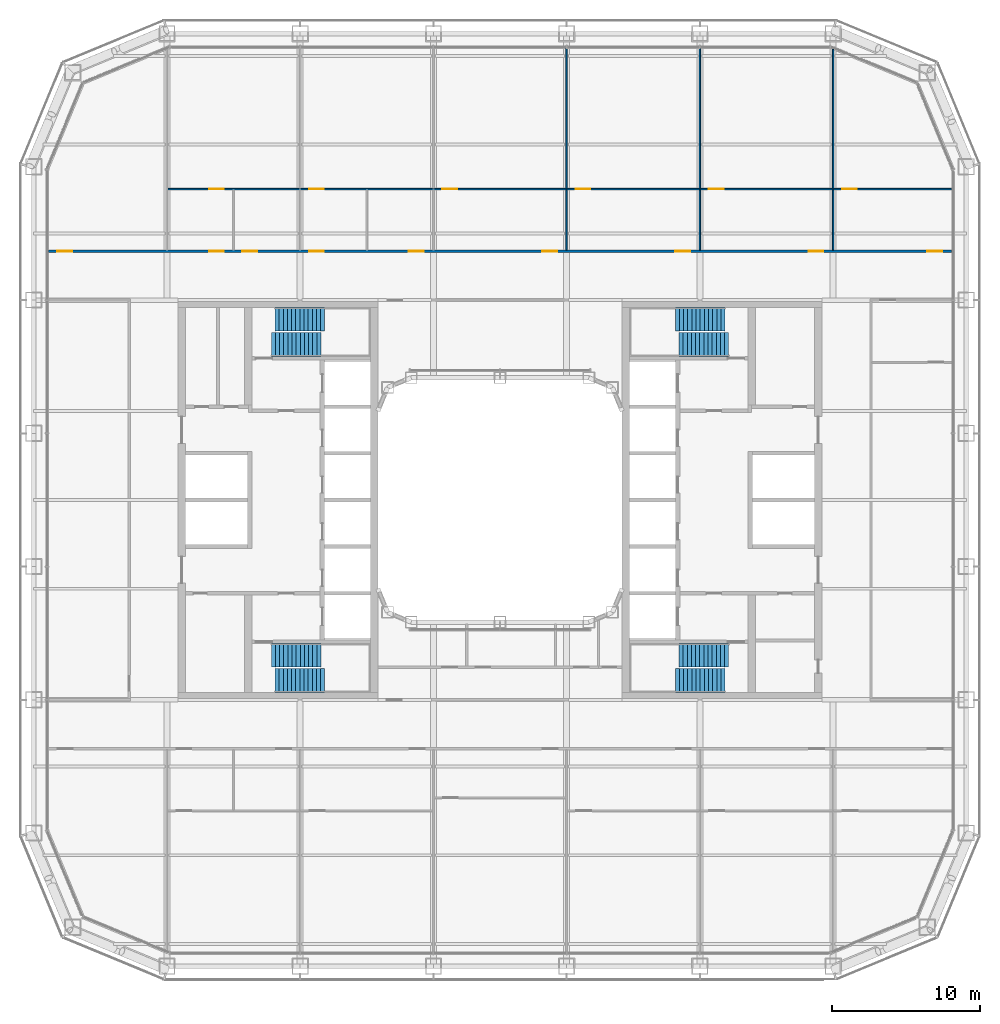
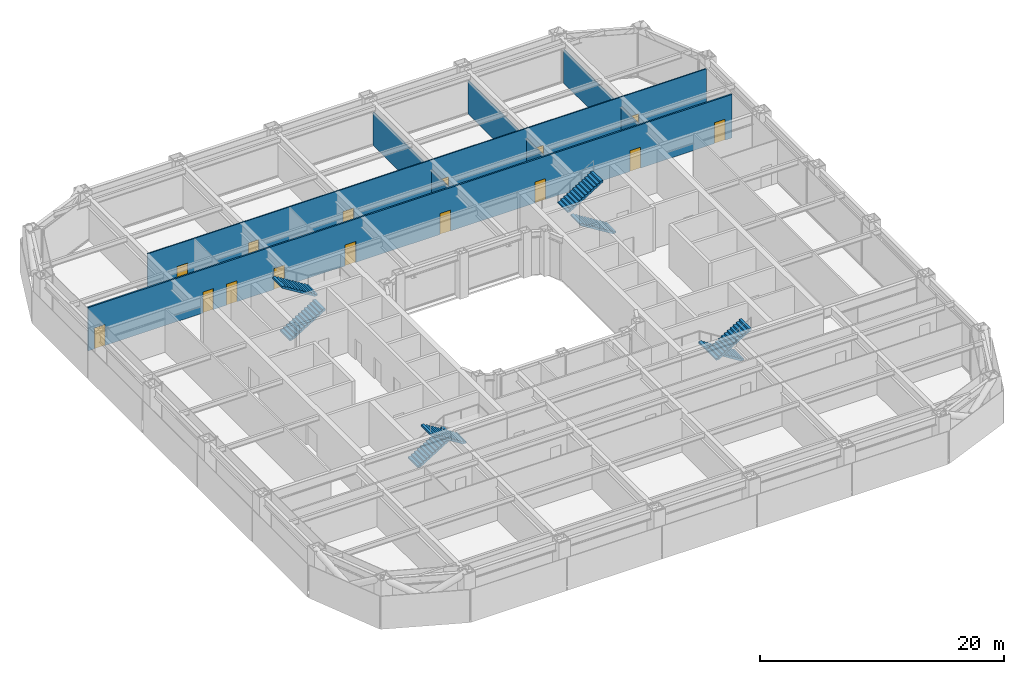
# One storey, part 15 of 24: 15 doors, 8 stair flights, 8 walls, 15 openings, 4 elements without a shape of their own.
"""IFC4 building model written with IfcOpenShell, lengths in metres."""

from ifc_helpers import new_model, si_unit, direction, frame, frame_2d, origin, place, context, subcontext, project, spatial, polyline, rectangle, outline, extrude, material, layer, layer_set, type_object, element, fill, aggregate, save


model = new_model("IFC4")

# Units and contexts
model_context = context("Model", 3, precision=1e-05, world=origin(), true_north=direction((0.0, 1.0)))
body_context = subcontext(model_context, "Body", "Model", "MODEL_VIEW")
ifc_project = project(units=[si_unit("LENGTHUNIT", "METRE"), si_unit("AREAUNIT", "SQUARE_METRE"), si_unit("VOLUMEUNIT", "CUBIC_METRE"), si_unit("PLANEANGLEUNIT", "RADIAN"), si_unit("MASSUNIT", "GRAM", prefix="KILO")], contexts=[model_context])

# Site, building, storey
site_placement = place(None, origin())
site = spatial("IfcSite", under=ifc_project, at=site_placement, CompositionType="ELEMENT")
building_placement = place(site_placement, origin())
building = spatial("IfcBuilding", under=site, at=building_placement, Name="Siwar Civic Tower", CompositionType="ELEMENT")
storey_placement = place(building_placement, frame((0.0, 0.0, 40.199951171875)))
storey = spatial("IfcBuildingStorey", under=building, at=storey_placement, Name="L08", CompositionType="ELEMENT", Elevation=40.199951171875)

# Wall, openings, doors
ifc_material_1 = material(Name="Gypsum board on steel studs", Category="steel")
ifc_layer_1 = layer(ifc_material_1, 0.14990234375)
ifc_layer_set_1 = layer_set([ifc_layer_1], Name="Gypsum board on steel studs")
wall_type_1 = type_object("IfcWallType", Name="CORRIDOR PARTITION 150 EI 30", PredefinedType="PARTITIONING", material=ifc_layer_set_1)
wall_1_placement = place(storey_placement, frame((-30.510009765625, 16.800048828125, 0.0), z_axis=(0.0, 0.0, 1.0), x_axis=(1.0, 0.0, 0.0)))
wall_1 = element("IfcWall", 1, at=wall_1_placement, inside=storey, type_object=wall_type_1, Name="L08/wall/P14", PredefinedType="PARTITIONING", context=body_context, shape_type="SweptSolid", body=[
    extrude(rectangle(XDim=61.02001953125, YDim=0.14990234375, at=frame_2d((30.510009765625, 0.0))), origin(), (0.0, 0.0, 1.0), 4.35009765625),
])
opening_1_placement = place(wall_1_placement, frame((10.860107421875, 0.0, 0.0)))
opening_1 = element("IfcOpeningElement", 2, at=opening_1_placement, cuts=wall_1, Name="Opening D1", PredefinedType="OPENING", context=body_context, shape_type="SweptSolid", body=[
    extrude(rectangle(XDim=1.0, YDim=2.10009765625, at=frame_2d((0.5, 1.050048828125))), frame((0.0, 0.0849609375, 0.0), z_axis=(0.0, -1.0, 0.0), x_axis=(1.0, 0.0, 0.0)), (0.0, 0.0, 1.0), 0.169921875),
])
opening_2_placement = place(wall_1_placement, frame((13.110107421875, 0.0, 0.0)))
opening_2 = element("IfcOpeningElement", 3, at=opening_2_placement, cuts=wall_1, Name="Opening D1", PredefinedType="OPENING", context=body_context, shape_type="SweptSolid", body=[
    extrude(rectangle(XDim=1.0, YDim=2.10009765625, at=frame_2d((0.5, 1.050048828125))), frame((0.0, 0.0849609375, 0.0), z_axis=(0.0, -1.0, 0.0), x_axis=(1.0, 0.0, 0.0)), (0.0, 0.0, 1.0), 0.169921875),
])
opening_3_placement = place(wall_1_placement, frame((17.610107421875, 0.0, 0.0)))
opening_3 = element("IfcOpeningElement", 4, at=opening_3_placement, cuts=wall_1, Name="Opening D1", PredefinedType="OPENING", context=body_context, shape_type="SweptSolid", body=[
    extrude(rectangle(XDim=1.0, YDim=2.10009765625, at=frame_2d((0.5, 1.050048828125))), frame((0.0, 0.0849609375, 0.0), z_axis=(0.0, -1.0, 0.0), x_axis=(1.0, 0.0, 0.0)), (0.0, 0.0, 1.0), 0.169921875),
])
opening_4_placement = place(wall_1_placement, frame((24.360107421875, 0.0, 0.0)))
opening_4 = element("IfcOpeningElement", 5, at=opening_4_placement, cuts=wall_1, Name="Opening D1", PredefinedType="OPENING", context=body_context, shape_type="SweptSolid", body=[
    extrude(rectangle(XDim=1.0, YDim=2.10009765625, at=frame_2d((0.5, 1.050048828125))), frame((0.0, 0.0849609375, 0.0), z_axis=(0.0, -1.0, 0.0), x_axis=(1.0, 0.0, 0.0)), (0.0, 0.0, 1.0), 0.169921875),
])
opening_5_placement = place(wall_1_placement, frame((33.360107421875, 0.0, 0.0)))
opening_5 = element("IfcOpeningElement", 6, at=opening_5_placement, cuts=wall_1, Name="Opening D1", PredefinedType="OPENING", context=body_context, shape_type="SweptSolid", body=[
    extrude(rectangle(XDim=1.0, YDim=2.10009765625, at=frame_2d((0.5, 1.050048828125))), frame((0.0, 0.0849609375, 0.0), z_axis=(0.0, -1.0, 0.0), x_axis=(1.0, 0.0, 0.0)), (0.0, 0.0, 1.0), 0.169921875),
])
opening_6_placement = place(wall_1_placement, frame((42.360107421875, 0.0, 0.0)))
opening_6 = element("IfcOpeningElement", 7, at=opening_6_placement, cuts=wall_1, Name="Opening D1", PredefinedType="OPENING", context=body_context, shape_type="SweptSolid", body=[
    extrude(rectangle(XDim=1.0, YDim=2.10009765625, at=frame_2d((0.5, 1.050048828125))), frame((0.0, 0.0849609375, 0.0), z_axis=(0.0, -1.0, 0.0), x_axis=(1.0, 0.0, 0.0)), (0.0, 0.0, 1.0), 0.169921875),
])
opening_7_placement = place(wall_1_placement, frame((51.360107421875, 0.0, 0.0)))
opening_7 = element("IfcOpeningElement", 8, at=opening_7_placement, cuts=wall_1, Name="Opening D1", PredefinedType="OPENING", context=body_context, shape_type="SweptSolid", body=[
    extrude(rectangle(XDim=1.0, YDim=2.10009765625, at=frame_2d((0.5, 1.050048828125))), frame((0.0, 0.0849609375, 0.0), z_axis=(0.0, -1.0, 0.0), x_axis=(1.0, 0.0, 0.0)), (0.0, 0.0, 1.0), 0.169921875),
])
opening_8_placement = place(wall_1_placement, frame((0.610107421875, 0.0, 0.0)))
opening_8 = element("IfcOpeningElement", 9, at=opening_8_placement, cuts=wall_1, Name="Opening D1", PredefinedType="OPENING", context=body_context, shape_type="SweptSolid", body=[
    extrude(rectangle(XDim=1.0, YDim=2.10009765625, at=frame_2d((0.5, 1.050048828125))), frame((0.0, 0.0849609375, 0.0), z_axis=(0.0, -1.0, 0.0), x_axis=(1.0, 0.0, 0.0)), (0.0, 0.0, 1.0), 0.169921875),
])
opening_9_placement = place(wall_1_placement, frame((59.3701171875, 0.0, 0.0)))
opening_9 = element("IfcOpeningElement", 10, at=opening_9_placement, cuts=wall_1, Name="Opening D1", PredefinedType="OPENING", context=body_context, shape_type="SweptSolid", body=[
    extrude(rectangle(XDim=1.0, YDim=2.10009765625, at=frame_2d((0.5, 1.050048828125))), frame((0.0, 0.0849609375, 0.0), z_axis=(0.0, -1.0, 0.0), x_axis=(1.0, 0.0, 0.0)), (0.0, 0.0, 1.0), 0.169921875),
])
ifc_material_2 = material(Name="Timber, painted", Category="wood")
door_type_1 = type_object("IfcDoorType", Name="DOOR 1000 X 2100 FD30", OperationType="SINGLE_SWING_LEFT", PredefinedType="DOOR", material=ifc_material_2)
door_1_placement = place(opening_1_placement, origin())
door_1 = element("IfcDoor", 11, at=door_1_placement, inside=storey, type_object=door_type_1, Name="L08-D01", OperationType="SINGLE_SWING_LEFT", OverallHeight=2.10009765625, OverallWidth=1.0, PredefinedType="DOOR", context=body_context, shape_type="SweptSolid", body=[
    extrude(rectangle(XDim=1.0, YDim=2.10009765625, at=frame_2d((0.5, 1.050048828125))), frame((0.0, 0.02490234375, 0.0), z_axis=(0.0, -1.0, 0.0), x_axis=(1.0, 0.0, 0.0)), (0.0, 0.0, 1.0), 0.050048828125),
])
fill(opening_1, door_1)
door_2_placement = place(opening_2_placement, origin())
door_2 = element("IfcDoor", 12, at=door_2_placement, inside=storey, type_object=door_type_1, Name="L08-D02", OperationType="SINGLE_SWING_RIGHT", OverallHeight=2.10009765625, OverallWidth=1.0, PredefinedType="DOOR", context=body_context, shape_type="SweptSolid", body=[
    extrude(rectangle(XDim=1.0, YDim=2.10009765625, at=frame_2d((0.5, 1.050048828125))), frame((0.0, 0.02490234375, 0.0), z_axis=(0.0, -1.0, 0.0), x_axis=(1.0, 0.0, 0.0)), (0.0, 0.0, 1.0), 0.050048828125),
])
fill(opening_2, door_2)
door_3_placement = place(opening_3_placement, origin())
door_3 = element("IfcDoor", 13, at=door_3_placement, inside=storey, type_object=door_type_1, Name="L08-D04", OperationType="SINGLE_SWING_RIGHT", OverallHeight=2.10009765625, OverallWidth=1.0, PredefinedType="DOOR", context=body_context, shape_type="SweptSolid", body=[
    extrude(rectangle(XDim=1.0, YDim=2.10009765625, at=frame_2d((0.5, 1.050048828125))), frame((0.0, 0.02490234375, 0.0), z_axis=(0.0, -1.0, 0.0), x_axis=(1.0, 0.0, 0.0)), (0.0, 0.0, 1.0), 0.050048828125),
])
fill(opening_3, door_3)
door_4_placement = place(opening_4_placement, origin())
door_4 = element("IfcDoor", 14, at=door_4_placement, inside=storey, type_object=door_type_1, Name="L08-D05", OperationType="SINGLE_SWING_LEFT", OverallHeight=2.10009765625, OverallWidth=1.0, PredefinedType="DOOR", context=body_context, shape_type="SweptSolid", body=[
    extrude(rectangle(XDim=1.0, YDim=2.10009765625, at=frame_2d((0.5, 1.050048828125))), frame((0.0, 0.02490234375, 0.0), z_axis=(0.0, -1.0, 0.0), x_axis=(1.0, 0.0, 0.0)), (0.0, 0.0, 1.0), 0.050048828125),
])
fill(opening_4, door_4)
door_5_placement = place(opening_5_placement, origin())
door_5 = element("IfcDoor", 15, at=door_5_placement, inside=storey, type_object=door_type_1, Name="L08-D07", OperationType="SINGLE_SWING_LEFT", OverallHeight=2.10009765625, OverallWidth=1.0, PredefinedType="DOOR", context=body_context, shape_type="SweptSolid", body=[
    extrude(rectangle(XDim=1.0, YDim=2.10009765625, at=frame_2d((0.5, 1.050048828125))), frame((0.0, 0.02490234375, 0.0), z_axis=(0.0, -1.0, 0.0), x_axis=(1.0, 0.0, 0.0)), (0.0, 0.0, 1.0), 0.050048828125),
])
fill(opening_5, door_5)
door_6_placement = place(opening_6_placement, origin())
door_6 = element("IfcDoor", 16, at=door_6_placement, inside=storey, type_object=door_type_1, Name="L08-D09", OperationType="SINGLE_SWING_LEFT", OverallHeight=2.10009765625, OverallWidth=1.0, PredefinedType="DOOR", context=body_context, shape_type="SweptSolid", body=[
    extrude(rectangle(XDim=1.0, YDim=2.10009765625, at=frame_2d((0.5, 1.050048828125))), frame((0.0, 0.02490234375, 0.0), z_axis=(0.0, -1.0, 0.0), x_axis=(1.0, 0.0, 0.0)), (0.0, 0.0, 1.0), 0.050048828125),
])
fill(opening_6, door_6)
door_7_placement = place(opening_7_placement, origin())
door_7 = element("IfcDoor", 17, at=door_7_placement, inside=storey, type_object=door_type_1, Name="L08-D11", OperationType="SINGLE_SWING_LEFT", OverallHeight=2.10009765625, OverallWidth=1.0, PredefinedType="DOOR", context=body_context, shape_type="SweptSolid", body=[
    extrude(rectangle(XDim=1.0, YDim=2.10009765625, at=frame_2d((0.5, 1.050048828125))), frame((0.0, 0.02490234375, 0.0), z_axis=(0.0, -1.0, 0.0), x_axis=(1.0, 0.0, 0.0)), (0.0, 0.0, 1.0), 0.050048828125),
])
fill(opening_7, door_7)
door_8_placement = place(opening_8_placement, origin())
door_8 = element("IfcDoor", 18, at=door_8_placement, inside=storey, type_object=door_type_1, Name="L08-D24", OperationType="SINGLE_SWING_RIGHT", OverallHeight=2.10009765625, OverallWidth=1.0, PredefinedType="DOOR", context=body_context, shape_type="SweptSolid", body=[
    extrude(rectangle(XDim=1.0, YDim=2.10009765625, at=frame_2d((0.5, 1.050048828125))), frame((0.0, 0.02490234375, 0.0), z_axis=(0.0, -1.0, 0.0), x_axis=(1.0, 0.0, 0.0)), (0.0, 0.0, 1.0), 0.050048828125),
])
fill(opening_8, door_8)
door_9_placement = place(opening_9_placement, origin())
door_9 = element("IfcDoor", 19, at=door_9_placement, inside=storey, type_object=door_type_1, Name="L08-D25", OperationType="SINGLE_SWING_LEFT", OverallHeight=2.10009765625, OverallWidth=1.0, PredefinedType="DOOR", context=body_context, shape_type="SweptSolid", body=[
    extrude(rectangle(XDim=1.0, YDim=2.10009765625, at=frame_2d((0.5, 1.050048828125))), frame((0.0, 0.02490234375, 0.0), z_axis=(0.0, -1.0, 0.0), x_axis=(1.0, 0.0, 0.0)), (0.0, 0.0, 1.0), 0.050048828125),
])
fill(opening_9, door_9)

ifc_material_3 = material(Name="Gypsum board on steel studs", Category="steel")
ifc_layer_2 = layer(ifc_material_3, 0.10009765625)
ifc_layer_set_2 = layer_set([ifc_layer_2], Name="Gypsum board on steel studs")
wall_type_2 = type_object("IfcWallType", Name="PARTITION 100 GYPSUM", PredefinedType="PARTITIONING", material=ifc_layer_set_2)
wall_2_placement = place(storey_placement, frame((-22.449951171875, 21.0, 0.0), z_axis=(0.0, 0.0, 1.0), x_axis=(1.0, 0.0, 0.0)))
wall_2 = element("IfcWall", 20, at=wall_2_placement, inside=storey, type_object=wall_type_2, Name="L08/wall/P15", PredefinedType="PARTITIONING", context=body_context, shape_type="SweptSolid", body=[
    extrude(rectangle(XDim=52.9599609375, YDim=0.10009765625, at=frame_2d((26.47998046875, 0.0))), origin(), (0.0, 0.0, 1.0), 4.35009765625),
])
opening_10_placement = place(wall_2_placement, frame((2.800048828125, 0.0, 0.0)))
opening_10 = element("IfcOpeningElement", 21, at=opening_10_placement, cuts=wall_2, Name="Opening D2", PredefinedType="OPENING", context=body_context, shape_type="SweptSolid", body=[
    extrude(rectangle(XDim=1.0, YDim=2.10009765625, at=frame_2d((0.5, 1.050048828125))), frame((0.0, 0.06005859375, 0.0), z_axis=(0.0, -1.0, 0.0), x_axis=(1.0, 0.0, 0.0)), (0.0, 0.0, 1.0), 0.1201171875),
])
opening_11_placement = place(wall_2_placement, frame((9.550048828125, 0.0, 0.0)))
opening_11 = element("IfcOpeningElement", 22, at=opening_11_placement, cuts=wall_2, Name="Opening D2", PredefinedType="OPENING", context=body_context, shape_type="SweptSolid", body=[
    extrude(rectangle(XDim=1.0, YDim=2.10009765625, at=frame_2d((0.5, 1.050048828125))), frame((0.0, 0.06005859375, 0.0), z_axis=(0.0, -1.0, 0.0), x_axis=(1.0, 0.0, 0.0)), (0.0, 0.0, 1.0), 0.1201171875),
])
opening_12_placement = place(wall_2_placement, frame((18.550048828125, 0.0, 0.0)))
opening_12 = element("IfcOpeningElement", 23, at=opening_12_placement, cuts=wall_2, Name="Opening D2", PredefinedType="OPENING", context=body_context, shape_type="SweptSolid", body=[
    extrude(rectangle(XDim=1.0, YDim=2.10009765625, at=frame_2d((0.5, 1.050048828125))), frame((0.0, 0.06005859375, 0.0), z_axis=(0.0, -1.0, 0.0), x_axis=(1.0, 0.0, 0.0)), (0.0, 0.0, 1.0), 0.1201171875),
])
opening_13_placement = place(wall_2_placement, frame((27.550048828125, 0.0, 0.0)))
opening_13 = element("IfcOpeningElement", 24, at=opening_13_placement, cuts=wall_2, Name="Opening D2", PredefinedType="OPENING", context=body_context, shape_type="SweptSolid", body=[
    extrude(rectangle(XDim=1.0, YDim=2.10009765625, at=frame_2d((0.5, 1.050048828125))), frame((0.0, 0.06005859375, 0.0), z_axis=(0.0, -1.0, 0.0), x_axis=(1.0, 0.0, 0.0)), (0.0, 0.0, 1.0), 0.1201171875),
])
opening_14_placement = place(wall_2_placement, frame((36.550048828125, 0.0, 0.0)))
opening_14 = element("IfcOpeningElement", 25, at=opening_14_placement, cuts=wall_2, Name="Opening D2", PredefinedType="OPENING", context=body_context, shape_type="SweptSolid", body=[
    extrude(rectangle(XDim=1.0, YDim=2.10009765625, at=frame_2d((0.5, 1.050048828125))), frame((0.0, 0.06005859375, 0.0), z_axis=(0.0, -1.0, 0.0), x_axis=(1.0, 0.0, 0.0)), (0.0, 0.0, 1.0), 0.1201171875),
])
opening_15_placement = place(wall_2_placement, frame((45.56005859375, 0.0, 0.0)))
opening_15 = element("IfcOpeningElement", 26, at=opening_15_placement, cuts=wall_2, Name="Opening D2", PredefinedType="OPENING", context=body_context, shape_type="SweptSolid", body=[
    extrude(rectangle(XDim=1.0, YDim=2.10009765625, at=frame_2d((0.5, 1.050048828125))), frame((0.0, 0.06005859375, 0.0), z_axis=(0.0, -1.0, 0.0), x_axis=(1.0, 0.0, 0.0)), (0.0, 0.0, 1.0), 0.1201171875),
])
ifc_material_4 = material(Name="Timber, painted", Category="wood")
door_type_2 = type_object("IfcDoorType", Name="DOOR 1000 X 2100", OperationType="SINGLE_SWING_LEFT", PredefinedType="DOOR", material=ifc_material_4)
door_10_placement = place(opening_10_placement, origin())
door_10 = element("IfcDoor", 27, at=door_10_placement, inside=storey, type_object=door_type_2, Name="L08-D03", OperationType="SINGLE_SWING_LEFT", OverallHeight=2.10009765625, OverallWidth=1.0, PredefinedType="DOOR", context=body_context, shape_type="SweptSolid", body=[
    extrude(rectangle(XDim=1.0, YDim=2.10009765625, at=frame_2d((0.5, 1.050048828125))), frame((0.0, 0.02490234375, 0.0), z_axis=(0.0, -1.0, 0.0), x_axis=(1.0, 0.0, 0.0)), (0.0, 0.0, 1.0), 0.050048828125),
])
fill(opening_10, door_10)
door_11_placement = place(opening_11_placement, origin())
door_11 = element("IfcDoor", 28, at=door_11_placement, inside=storey, type_object=door_type_2, Name="L08-D06", OperationType="SINGLE_SWING_RIGHT", OverallHeight=2.10009765625, OverallWidth=1.0, PredefinedType="DOOR", context=body_context, shape_type="SweptSolid", body=[
    extrude(rectangle(XDim=1.0, YDim=2.10009765625, at=frame_2d((0.5, 1.050048828125))), frame((0.0, 0.02490234375, 0.0), z_axis=(0.0, -1.0, 0.0), x_axis=(1.0, 0.0, 0.0)), (0.0, 0.0, 1.0), 0.050048828125),
])
fill(opening_11, door_11)
door_12_placement = place(opening_12_placement, origin())
door_12 = element("IfcDoor", 29, at=door_12_placement, inside=storey, type_object=door_type_2, Name="L08-D08", OperationType="SINGLE_SWING_RIGHT", OverallHeight=2.10009765625, OverallWidth=1.0, PredefinedType="DOOR", context=body_context, shape_type="SweptSolid", body=[
    extrude(rectangle(XDim=1.0, YDim=2.10009765625, at=frame_2d((0.5, 1.050048828125))), frame((0.0, 0.02490234375, 0.0), z_axis=(0.0, -1.0, 0.0), x_axis=(1.0, 0.0, 0.0)), (0.0, 0.0, 1.0), 0.050048828125),
])
fill(opening_12, door_12)
door_13_placement = place(opening_13_placement, origin())
door_13 = element("IfcDoor", 30, at=door_13_placement, inside=storey, type_object=door_type_2, Name="L08-D10", OperationType="SINGLE_SWING_RIGHT", OverallHeight=2.10009765625, OverallWidth=1.0, PredefinedType="DOOR", context=body_context, shape_type="SweptSolid", body=[
    extrude(rectangle(XDim=1.0, YDim=2.10009765625, at=frame_2d((0.5, 1.050048828125))), frame((0.0, 0.02490234375, 0.0), z_axis=(0.0, -1.0, 0.0), x_axis=(1.0, 0.0, 0.0)), (0.0, 0.0, 1.0), 0.050048828125),
])
fill(opening_13, door_13)
door_14_placement = place(opening_14_placement, origin())
door_14 = element("IfcDoor", 31, at=door_14_placement, inside=storey, type_object=door_type_2, Name="L08-D12", OperationType="SINGLE_SWING_RIGHT", OverallHeight=2.10009765625, OverallWidth=1.0, PredefinedType="DOOR", context=body_context, shape_type="SweptSolid", body=[
    extrude(rectangle(XDim=1.0, YDim=2.10009765625, at=frame_2d((0.5, 1.050048828125))), frame((0.0, 0.02490234375, 0.0), z_axis=(0.0, -1.0, 0.0), x_axis=(1.0, 0.0, 0.0)), (0.0, 0.0, 1.0), 0.050048828125),
])
fill(opening_14, door_14)
door_15_placement = place(opening_15_placement, origin())
door_15 = element("IfcDoor", 32, at=door_15_placement, inside=storey, type_object=door_type_2, Name="L08-D26", OperationType="SINGLE_SWING_RIGHT", OverallHeight=2.10009765625, OverallWidth=1.0, PredefinedType="DOOR", context=body_context, shape_type="SweptSolid", body=[
    extrude(rectangle(XDim=1.0, YDim=2.10009765625, at=frame_2d((0.5, 1.050048828125))), frame((0.0, 0.02490234375, 0.0), z_axis=(0.0, -1.0, 0.0), x_axis=(1.0, 0.0, 0.0)), (0.0, 0.0, 1.0), 0.050048828125),
])
fill(opening_15, door_15)

# Walls
wall_3_placement = place(storey_placement, frame((4.5, 16.875, 0.0), z_axis=(0.0, 0.0, 1.0), x_axis=(0.0, 1.0, 0.0)))
element("IfcWall", 33, at=wall_3_placement, inside=storey, type_object=wall_type_2, Name="L08/wall/P32", PredefinedType="PARTITIONING", context=body_context, shape_type="SweptSolid", body=[
    extrude(rectangle(XDim=4.074951171875, YDim=0.10009765625, at=frame_2d((2.03759765625, 0.0))), origin(), (0.0, 0.0, 1.0), 3.35009765625),
])
wall_4_placement = place(storey_placement, frame((4.5, 21.050048828125, 0.0), z_axis=(0.0, 0.0, 1.0), x_axis=(0.0, 1.0, 0.0)))
element("IfcWall", 34, at=wall_4_placement, inside=storey, type_object=wall_type_2, Name="L08/wall/P33", PredefinedType="PARTITIONING", context=body_context, shape_type="SweptSolid", body=[
    extrude(rectangle(XDim=9.4599609375, YDim=0.10009765625, at=frame_2d((4.72998046875, 0.0))), origin(), (0.0, 0.0, 1.0), 3.35009765625),
])
wall_5_placement = place(storey_placement, frame((13.5, 16.875, 0.0), z_axis=(0.0, 0.0, 1.0), x_axis=(0.0, 1.0, 0.0)))
element("IfcWall", 35, at=wall_5_placement, inside=storey, type_object=wall_type_2, Name="L08/wall/P37", PredefinedType="PARTITIONING", context=body_context, shape_type="SweptSolid", body=[
    extrude(rectangle(XDim=4.074951171875, YDim=0.10009765625, at=frame_2d((2.03759765625, 0.0))), origin(), (0.0, 0.0, 1.0), 3.35009765625),
])
wall_6_placement = place(storey_placement, frame((13.5, 21.050048828125, 0.0), z_axis=(0.0, 0.0, 1.0), x_axis=(0.0, 1.0, 0.0)))
element("IfcWall", 36, at=wall_6_placement, inside=storey, type_object=wall_type_2, Name="L08/wall/P38", PredefinedType="PARTITIONING", context=body_context, shape_type="SweptSolid", body=[
    extrude(rectangle(XDim=9.4599609375, YDim=0.10009765625, at=frame_2d((4.72998046875, 0.0))), origin(), (0.0, 0.0, 1.0), 3.35009765625),
])
wall_7_placement = place(storey_placement, frame((22.5, 16.875, 0.0), z_axis=(0.0, 0.0, 1.0), x_axis=(0.0, 1.0, 0.0)))
element("IfcWall", 37, at=wall_7_placement, inside=storey, type_object=wall_type_2, Name="L08/wall/P41", PredefinedType="PARTITIONING", context=body_context, shape_type="SweptSolid", body=[
    extrude(rectangle(XDim=4.074951171875, YDim=0.10009765625, at=frame_2d((2.03759765625, 0.0))), origin(), (0.0, 0.0, 1.0), 3.35009765625),
])
wall_8_placement = place(storey_placement, frame((22.5, 21.050048828125, 0.0), z_axis=(0.0, 0.0, 1.0), x_axis=(0.0, 1.0, 0.0)))
element("IfcWall", 38, at=wall_8_placement, inside=storey, type_object=wall_type_2, Name="L08/wall/P42", PredefinedType="PARTITIONING", context=body_context, shape_type="SweptSolid", body=[
    extrude(rectangle(XDim=9.3779296875, YDim=0.10009765625, at=frame_2d((4.68896484375, 0.0))), origin(), (0.0, 0.0, 1.0), 3.35009765625),
])

# Stair, stair flights
ifc_material_5 = material(Name="Concrete C40/50", Category="concrete")
stair_type = type_object("IfcStairType", Name="CORE-STAIR", PredefinedType="TWO_STRAIGHT_RUN_STAIR", material=ifc_material_5)
stair_1_placement = place(storey_placement, origin())
stair_1 = element("IfcStair", 39, at=stair_1_placement, inside=storey, type_object=stair_type, Name="Exit stair ST1", PredefinedType="TWO_STRAIGHT_RUN_STAIR")
ifc_material_6 = material(Name="Concrete C40/50", Category="concrete")
stair_flight_type = type_object("IfcStairFlightType", Name="CORE-STAIR-FLIGHT", PredefinedType="STRAIGHT", material=ifc_material_6)
stair_flight_1_placement = place(storey_placement, frame((-15.449951171875, 10.5, 0.0), z_axis=(0.0, 0.0, 1.0), x_axis=(1.0, 0.0, 0.0)))
stair_flight_1 = element("IfcStairFlight", 40, at=stair_flight_1_placement, type_object=stair_flight_type, Name="ST1 flight 1", NumberOfRisers=13, NumberOfTreads=12, PredefinedType="STRAIGHT", RiserHeight=0.173076923, TreadLength=0.28, context=body_context, shape_type="SweptSolid", body=[
    extrude(outline(polyline([(0.0, 0.0), (0.0, 0.173095703125), (0.280029296875, 0.173095703125), (0.280029296875, 0.34619140625), (0.56005859375, 0.34619140625), (0.56005859375, 0.519287109375), (0.840087890625, 0.519287109375), (0.840087890625, 0.6923828125), (1.1201171875, 0.6923828125), (1.1201171875, 0.865478515625), (1.39990234375, 0.865478515625), (1.39990234375, 1.03857421875), (1.679931640625, 1.03857421875), (1.679931640625, 1.21142578125), (1.9599609375, 1.21142578125), (1.9599609375, 1.384521484375), (2.239990234375, 1.384521484375), (2.239990234375, 1.5576171875), (2.52001953125, 1.5576171875), (2.52001953125, 1.730712890625), (2.800048828125, 1.730712890625), (2.800048828125, 1.90380859375), (3.080078125, 1.90380859375), (3.080078125, 2.076904296875), (3.360107421875, 2.076904296875), (3.360107421875, 2.25), (3.360107421875, 1.900634765625), (0.28515625, 0.0), (0.0, 0.0)])), frame((0.0, 0.800048828125, 0.0), z_axis=(0.0, -1.0, 0.0), x_axis=(1.0, 0.0, 0.0)), (0.0, 0.0, 1.0), 1.60009765625),
])
stair_flight_2_placement = place(storey_placement, frame((-11.840087890625, 12.199951171875, 2.25), z_axis=(0.0, 0.0, 1.0), x_axis=(-1.0, 0.0, 0.0)))
stair_flight_2 = element("IfcStairFlight", 41, at=stair_flight_2_placement, type_object=stair_flight_type, Name="ST1 flight 2", NumberOfRisers=13, NumberOfTreads=12, PredefinedType="STRAIGHT", RiserHeight=0.173076923, TreadLength=0.28, context=body_context, shape_type="SweptSolid", body=[
    extrude(outline(polyline([(0.0, 0.0), (0.0, 0.173095703125), (0.280029296875, 0.173095703125), (0.280029296875, 0.34619140625), (0.56005859375, 0.34619140625), (0.56005859375, 0.519287109375), (0.840087890625, 0.519287109375), (0.840087890625, 0.6923828125), (1.1201171875, 0.6923828125), (1.1201171875, 0.865478515625), (1.39990234375, 0.865478515625), (1.39990234375, 1.03857421875), (1.679931640625, 1.03857421875), (1.679931640625, 1.21142578125), (1.9599609375, 1.21142578125), (1.9599609375, 1.384521484375), (2.239990234375, 1.384521484375), (2.239990234375, 1.5576171875), (2.52001953125, 1.5576171875), (2.52001953125, 1.730712890625), (2.800048828125, 1.730712890625), (2.800048828125, 1.90380859375), (3.080078125, 1.90380859375), (3.080078125, 2.076904296875), (3.360107421875, 2.076904296875), (3.360107421875, 2.25), (3.360107421875, 1.900634765625), (0.28515625, 0.0), (0.0, 0.0)])), frame((0.0, 0.800048828125, 0.0), z_axis=(0.0, -1.0, 0.0), x_axis=(1.0, 0.0, 0.0)), (0.0, 0.0, 1.0), 1.60009765625),
])
aggregate(stair_1, [stair_flight_1, stair_flight_2])

stair_2_placement = place(storey_placement, origin())
stair_2 = element("IfcStair", 42, at=stair_2_placement, inside=storey, type_object=stair_type, Name="Exit stair ST2", PredefinedType="TWO_STRAIGHT_RUN_STAIR")
stair_flight_3_placement = place(storey_placement, frame((-15.449951171875, -10.5, 0.0), z_axis=(0.0, 0.0, 1.0), x_axis=(1.0, 0.0, 0.0)))
stair_flight_3 = element("IfcStairFlight", 43, at=stair_flight_3_placement, type_object=stair_flight_type, Name="ST2 flight 1", NumberOfRisers=13, NumberOfTreads=12, PredefinedType="STRAIGHT", RiserHeight=0.173076923, TreadLength=0.28, context=body_context, shape_type="SweptSolid", body=[
    extrude(outline(polyline([(0.0, 0.0), (0.0, 0.173095703125), (0.280029296875, 0.173095703125), (0.280029296875, 0.34619140625), (0.56005859375, 0.34619140625), (0.56005859375, 0.519287109375), (0.840087890625, 0.519287109375), (0.840087890625, 0.6923828125), (1.1201171875, 0.6923828125), (1.1201171875, 0.865478515625), (1.39990234375, 0.865478515625), (1.39990234375, 1.03857421875), (1.679931640625, 1.03857421875), (1.679931640625, 1.21142578125), (1.9599609375, 1.21142578125), (1.9599609375, 1.384521484375), (2.239990234375, 1.384521484375), (2.239990234375, 1.5576171875), (2.52001953125, 1.5576171875), (2.52001953125, 1.730712890625), (2.800048828125, 1.730712890625), (2.800048828125, 1.90380859375), (3.080078125, 1.90380859375), (3.080078125, 2.076904296875), (3.360107421875, 2.076904296875), (3.360107421875, 2.25), (3.360107421875, 1.900634765625), (0.28515625, 0.0), (0.0, 0.0)])), frame((0.0, 0.800048828125, 0.0), z_axis=(0.0, -1.0, 0.0), x_axis=(1.0, 0.0, 0.0)), (0.0, 0.0, 1.0), 1.60009765625),
])
stair_flight_4_placement = place(storey_placement, frame((-11.840087890625, -12.199951171875, 2.25), z_axis=(0.0, 0.0, 1.0), x_axis=(-1.0, 0.0, 0.0)))
stair_flight_4 = element("IfcStairFlight", 44, at=stair_flight_4_placement, type_object=stair_flight_type, Name="ST2 flight 2", NumberOfRisers=13, NumberOfTreads=12, PredefinedType="STRAIGHT", RiserHeight=0.173076923, TreadLength=0.28, context=body_context, shape_type="SweptSolid", body=[
    extrude(outline(polyline([(0.0, 0.0), (0.0, 0.173095703125), (0.280029296875, 0.173095703125), (0.280029296875, 0.34619140625), (0.56005859375, 0.34619140625), (0.56005859375, 0.519287109375), (0.840087890625, 0.519287109375), (0.840087890625, 0.6923828125), (1.1201171875, 0.6923828125), (1.1201171875, 0.865478515625), (1.39990234375, 0.865478515625), (1.39990234375, 1.03857421875), (1.679931640625, 1.03857421875), (1.679931640625, 1.21142578125), (1.9599609375, 1.21142578125), (1.9599609375, 1.384521484375), (2.239990234375, 1.384521484375), (2.239990234375, 1.5576171875), (2.52001953125, 1.5576171875), (2.52001953125, 1.730712890625), (2.800048828125, 1.730712890625), (2.800048828125, 1.90380859375), (3.080078125, 1.90380859375), (3.080078125, 2.076904296875), (3.360107421875, 2.076904296875), (3.360107421875, 2.25), (3.360107421875, 1.900634765625), (0.28515625, 0.0), (0.0, 0.0)])), frame((0.0, 0.800048828125, 0.0), z_axis=(0.0, -1.0, 0.0), x_axis=(1.0, 0.0, 0.0)), (0.0, 0.0, 1.0), 1.60009765625),
])
aggregate(stair_2, [stair_flight_3, stair_flight_4])

stair_3_placement = place(storey_placement, origin())
stair_3 = element("IfcStair", 45, at=stair_3_placement, inside=storey, type_object=stair_type, Name="Exit stair ST3", PredefinedType="TWO_STRAIGHT_RUN_STAIR")
stair_flight_5_placement = place(storey_placement, frame((15.449951171875, 10.5, 0.0), z_axis=(0.0, 0.0, 1.0), x_axis=(-1.0, 0.0, 0.0)))
stair_flight_5 = element("IfcStairFlight", 46, at=stair_flight_5_placement, type_object=stair_flight_type, Name="ST3 flight 1", NumberOfRisers=13, NumberOfTreads=12, PredefinedType="STRAIGHT", RiserHeight=0.173076923, TreadLength=0.28, context=body_context, shape_type="SweptSolid", body=[
    extrude(outline(polyline([(0.0, 0.0), (0.0, 0.173095703125), (0.280029296875, 0.173095703125), (0.280029296875, 0.34619140625), (0.56005859375, 0.34619140625), (0.56005859375, 0.519287109375), (0.840087890625, 0.519287109375), (0.840087890625, 0.6923828125), (1.1201171875, 0.6923828125), (1.1201171875, 0.865478515625), (1.39990234375, 0.865478515625), (1.39990234375, 1.03857421875), (1.679931640625, 1.03857421875), (1.679931640625, 1.21142578125), (1.9599609375, 1.21142578125), (1.9599609375, 1.384521484375), (2.239990234375, 1.384521484375), (2.239990234375, 1.5576171875), (2.52001953125, 1.5576171875), (2.52001953125, 1.730712890625), (2.800048828125, 1.730712890625), (2.800048828125, 1.90380859375), (3.080078125, 1.90380859375), (3.080078125, 2.076904296875), (3.360107421875, 2.076904296875), (3.360107421875, 2.25), (3.360107421875, 1.900634765625), (0.28515625, 0.0), (0.0, 0.0)])), frame((0.0, 0.800048828125, 0.0), z_axis=(0.0, -1.0, 0.0), x_axis=(1.0, 0.0, 0.0)), (0.0, 0.0, 1.0), 1.60009765625),
])
stair_flight_6_placement = place(storey_placement, frame((11.840087890625, 12.199951171875, 2.25), z_axis=(0.0, 0.0, 1.0), x_axis=(1.0, 0.0, 0.0)))
stair_flight_6 = element("IfcStairFlight", 47, at=stair_flight_6_placement, type_object=stair_flight_type, Name="ST3 flight 2", NumberOfRisers=13, NumberOfTreads=12, PredefinedType="STRAIGHT", RiserHeight=0.173076923, TreadLength=0.28, context=body_context, shape_type="SweptSolid", body=[
    extrude(outline(polyline([(0.0, 0.0), (0.0, 0.173095703125), (0.280029296875, 0.173095703125), (0.280029296875, 0.34619140625), (0.56005859375, 0.34619140625), (0.56005859375, 0.519287109375), (0.840087890625, 0.519287109375), (0.840087890625, 0.6923828125), (1.1201171875, 0.6923828125), (1.1201171875, 0.865478515625), (1.39990234375, 0.865478515625), (1.39990234375, 1.03857421875), (1.679931640625, 1.03857421875), (1.679931640625, 1.21142578125), (1.9599609375, 1.21142578125), (1.9599609375, 1.384521484375), (2.239990234375, 1.384521484375), (2.239990234375, 1.5576171875), (2.52001953125, 1.5576171875), (2.52001953125, 1.730712890625), (2.800048828125, 1.730712890625), (2.800048828125, 1.90380859375), (3.080078125, 1.90380859375), (3.080078125, 2.076904296875), (3.360107421875, 2.076904296875), (3.360107421875, 2.25), (3.360107421875, 1.900634765625), (0.28515625, 0.0), (0.0, 0.0)])), frame((0.0, 0.800048828125, 0.0), z_axis=(0.0, -1.0, 0.0), x_axis=(1.0, 0.0, 0.0)), (0.0, 0.0, 1.0), 1.60009765625),
])
aggregate(stair_3, [stair_flight_5, stair_flight_6])

stair_4_placement = place(storey_placement, origin())
stair_4 = element("IfcStair", 48, at=stair_4_placement, inside=storey, type_object=stair_type, Name="Exit stair ST4", PredefinedType="TWO_STRAIGHT_RUN_STAIR")
stair_flight_7_placement = place(storey_placement, frame((15.449951171875, -10.5, 0.0), z_axis=(0.0, 0.0, 1.0), x_axis=(-1.0, 0.0, 0.0)))
stair_flight_7 = element("IfcStairFlight", 49, at=stair_flight_7_placement, type_object=stair_flight_type, Name="ST4 flight 1", NumberOfRisers=13, NumberOfTreads=12, PredefinedType="STRAIGHT", RiserHeight=0.173076923, TreadLength=0.28, context=body_context, shape_type="SweptSolid", body=[
    extrude(outline(polyline([(0.0, 0.0), (0.0, 0.173095703125), (0.280029296875, 0.173095703125), (0.280029296875, 0.34619140625), (0.56005859375, 0.34619140625), (0.56005859375, 0.519287109375), (0.840087890625, 0.519287109375), (0.840087890625, 0.6923828125), (1.1201171875, 0.6923828125), (1.1201171875, 0.865478515625), (1.39990234375, 0.865478515625), (1.39990234375, 1.03857421875), (1.679931640625, 1.03857421875), (1.679931640625, 1.21142578125), (1.9599609375, 1.21142578125), (1.9599609375, 1.384521484375), (2.239990234375, 1.384521484375), (2.239990234375, 1.5576171875), (2.52001953125, 1.5576171875), (2.52001953125, 1.730712890625), (2.800048828125, 1.730712890625), (2.800048828125, 1.90380859375), (3.080078125, 1.90380859375), (3.080078125, 2.076904296875), (3.360107421875, 2.076904296875), (3.360107421875, 2.25), (3.360107421875, 1.900634765625), (0.28515625, 0.0), (0.0, 0.0)])), frame((0.0, 0.800048828125, 0.0), z_axis=(0.0, -1.0, 0.0), x_axis=(1.0, 0.0, 0.0)), (0.0, 0.0, 1.0), 1.60009765625),
])
stair_flight_8_placement = place(storey_placement, frame((11.840087890625, -12.199951171875, 2.25), z_axis=(0.0, 0.0, 1.0), x_axis=(1.0, 0.0, 0.0)))
stair_flight_8 = element("IfcStairFlight", 50, at=stair_flight_8_placement, type_object=stair_flight_type, Name="ST4 flight 2", NumberOfRisers=13, NumberOfTreads=12, PredefinedType="STRAIGHT", RiserHeight=0.173076923, TreadLength=0.28, context=body_context, shape_type="SweptSolid", body=[
    extrude(outline(polyline([(0.0, 0.0), (0.0, 0.173095703125), (0.280029296875, 0.173095703125), (0.280029296875, 0.34619140625), (0.56005859375, 0.34619140625), (0.56005859375, 0.519287109375), (0.840087890625, 0.519287109375), (0.840087890625, 0.6923828125), (1.1201171875, 0.6923828125), (1.1201171875, 0.865478515625), (1.39990234375, 0.865478515625), (1.39990234375, 1.03857421875), (1.679931640625, 1.03857421875), (1.679931640625, 1.21142578125), (1.9599609375, 1.21142578125), (1.9599609375, 1.384521484375), (2.239990234375, 1.384521484375), (2.239990234375, 1.5576171875), (2.52001953125, 1.5576171875), (2.52001953125, 1.730712890625), (2.800048828125, 1.730712890625), (2.800048828125, 1.90380859375), (3.080078125, 1.90380859375), (3.080078125, 2.076904296875), (3.360107421875, 2.076904296875), (3.360107421875, 2.25), (3.360107421875, 1.900634765625), (0.28515625, 0.0), (0.0, 0.0)])), frame((0.0, 0.800048828125, 0.0), z_axis=(0.0, -1.0, 0.0), x_axis=(1.0, 0.0, 0.0)), (0.0, 0.0, 1.0), 1.60009765625),
])
aggregate(stair_4, [stair_flight_7, stair_flight_8])

save(model, "model.ifc")
